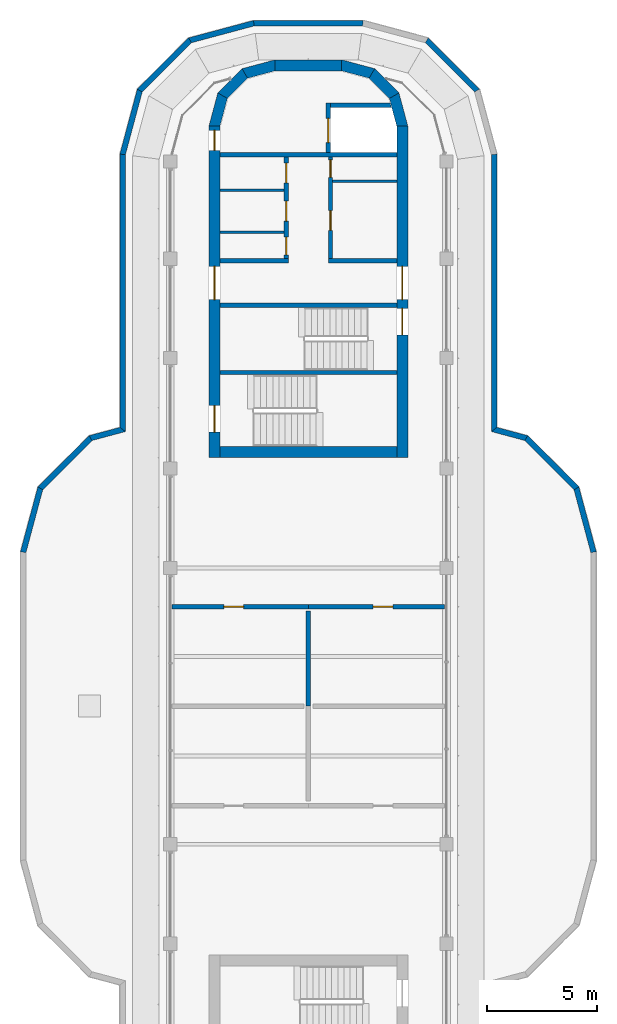
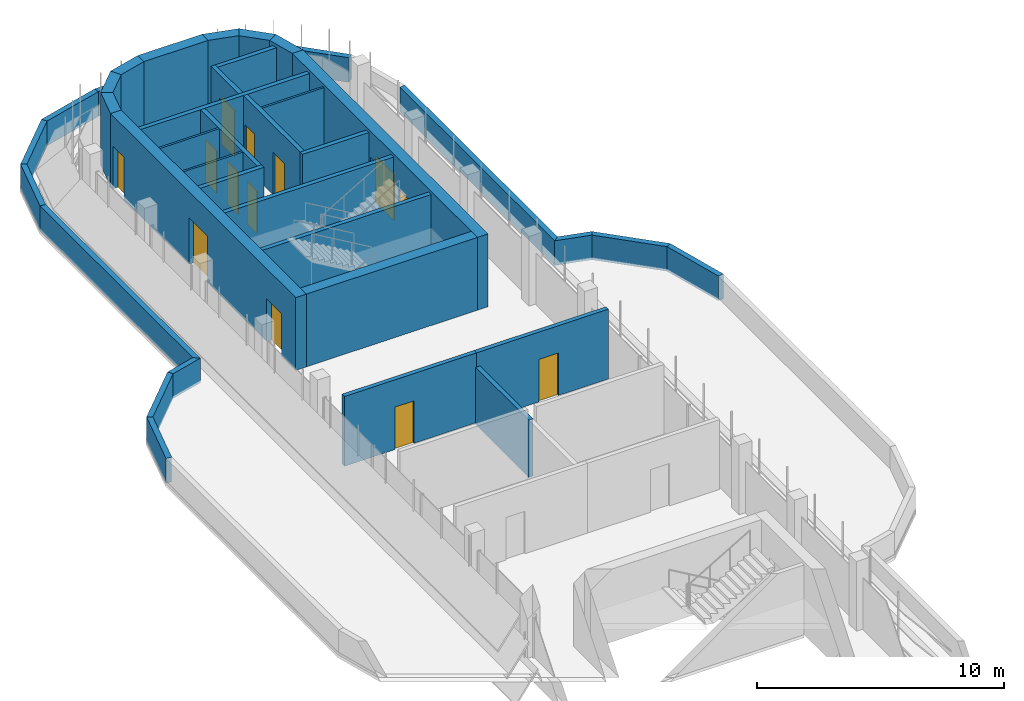
# One storey, part 9 of 12: 38 walls, 13 doors, 13 openings.
"""IFC4 building model written with IfcOpenShell, lengths in metres."""

from ifc_helpers import new_model, si_unit, direction, frame, frame_2d, origin, place, context, subcontext, project, spatial, polyline, rectangle, outline, extrude, material, layer, layer_set, type_object, element, fill, save


model = new_model("IFC4")

# Units and contexts
model_context = context("Model", 3, precision=1e-05, world=origin(), true_north=direction((0.0, 1.0)))
body_context = subcontext(model_context, "Body", "Model", "MODEL_VIEW")
ifc_project = project(units=[si_unit("LENGTHUNIT", "METRE"), si_unit("AREAUNIT", "SQUARE_METRE"), si_unit("VOLUMEUNIT", "CUBIC_METRE"), si_unit("PLANEANGLEUNIT", "RADIAN"), si_unit("MASSUNIT", "GRAM", prefix="KILO")], contexts=[model_context])

# Site, building, storey
site_placement = place(None, origin())
site = spatial("IfcSite", under=ifc_project, at=site_placement, CompositionType="ELEMENT")
building_placement = place(site_placement, origin())
building = spatial("IfcBuilding", under=site, at=building_placement, Name="Zarbagh Exchange Tower", CompositionType="ELEMENT")
storey_placement = place(building_placement, frame((0.0, 0.0, 306.0)))
storey = spatial("IfcBuildingStorey", under=building, at=storey_placement, Name="L75", CompositionType="ELEMENT", Elevation=306.0)

# Walls
ifc_material_1 = material(Name="Dense blockwork", Category="masonry")
ifc_layer_1 = layer(ifc_material_1, 0.10009765625)
ifc_layer_set_1 = layer_set([ifc_layer_1], Name="Core partition 100 mm blockwork")
wall_type_1 = type_object("IfcWallType", Name="Core partition 100 mm blockwork", PredefinedType="PARTITIONING", material=ifc_layer_set_1)
for number, where, z_axis, x_axis, name in (
    (1, (-4.0, 23.35009765625, 0.0), (0.0, 0.0, 1.0), (1.0, 0.0, 0.0), "North core partition wall CUT-W-500"),
    (2, (-4.0, 21.449951171875, 0.0), (0.0, 0.0, 1.0), (1.0, 0.0, 0.0), "North core partition wall CUT-W-690"),
    (3, (1.10009765625, 23.75, 0.0), (0.0, 0.0, 1.0), (1.0, 0.0, 0.0), "North core partition wall CUT-E-460"),
):
    element("IfcWall", number, at=place(storey_placement, frame(where, z_axis=z_axis, x_axis=x_axis)), inside=storey, type_object=wall_type_1, Name=name, PredefinedType="PARTITIONING", context=body_context, shape_type="SweptSolid", body=[
        extrude(rectangle(XDim=2.89990234375, YDim=0.10009765625, at=frame_2d((1.449951171875, 0.0))), origin(), (0.0, 0.0, 1.0), 3.449951171875),
    ])

# Wall, opening, door
ifc_material_2 = material(Name="Concrete block partition", Category="concrete")
ifc_layer_2 = layer(ifc_material_2, 0.199951171875)
ifc_layer_set_2 = layer_set([ifc_layer_2], Name="Fire-rated block partition 200 EI 60")
wall_type_2 = type_object("IfcWallType", Name="Fire-rated block partition 200 EI 60", PredefinedType="PARTITIONING", material=ifc_layer_set_2)
wall_1_placement = place(storey_placement, frame((0.0, 4.5, 0.0), z_axis=(0.0, 0.0, 1.0), x_axis=(-1.0, 0.0, 0.0)))
wall_1 = element("IfcWall", 4, at=wall_1_placement, inside=storey, type_object=wall_type_2, Name="WL-L75-W001", PredefinedType="PARTITIONING", context=body_context, shape_type="SweptSolid", body=[
    extrude(rectangle(XDim=6.169921875, YDim=0.199951171875, at=frame_2d((3.0849609375, 0.0))), origin(), (0.0, 0.0, 1.0), 3.449951171875),
])
opening_1_placement = place(wall_1_placement, frame((2.925048828125, 0.0, 0.0)))
opening_1 = element("IfcOpeningElement", 5, at=opening_1_placement, cuts=wall_1, Name="Opening D01", PredefinedType="OPENING", context=body_context, shape_type="SweptSolid", body=[
    extrude(rectangle(XDim=0.89990234375, YDim=2.10009765625, at=frame_2d((0.449951171875, 1.050048828125))), frame((0.0, 0.10986328125, 0.0), z_axis=(0.0, -1.0, 0.0), x_axis=(1.0, 0.0, 0.0)), (0.0, 0.0, 1.0), 0.219970703125),
])
ifc_material_3 = material(Name="Steel door set", Category="steel")
door_type_1 = type_object("IfcDoorType", Name="Door single 900x2100 EI 60", OperationType="SINGLE_SWING_LEFT", PredefinedType="DOOR", material=ifc_material_3)
door_1_placement = place(opening_1_placement, origin())
door_1 = element("IfcDoor", 6, at=door_1_placement, inside=storey, type_object=door_type_1, Name="D01", OperationType="SINGLE_SWING_LEFT", OverallHeight=2.10009765625, OverallWidth=0.89990234375, PredefinedType="DOOR", context=body_context, shape_type="SweptSolid", body=[
    extrude(rectangle(XDim=0.89990234375, YDim=2.10009765625, at=frame_2d((0.449951171875, 1.050048828125))), frame((0.0, 0.02490234375, 0.0), z_axis=(0.0, -1.0, 0.0), x_axis=(1.0, 0.0, 0.0)), (0.0, 0.0, 1.0), 0.050048828125),
])
fill(opening_1, door_1)

wall_2_placement = place(storey_placement, frame((6.169921875, 4.5, 0.0), z_axis=(0.0, 0.0, 1.0), x_axis=(-1.0, 0.0, 0.0)))
wall_2 = element("IfcWall", 7, at=wall_2_placement, inside=storey, type_object=wall_type_2, Name="WL-L75-W002", PredefinedType="PARTITIONING", context=body_context, shape_type="SweptSolid", body=[
    extrude(rectangle(XDim=6.169921875, YDim=0.199951171875, at=frame_2d((3.0849609375, 0.0))), origin(), (0.0, 0.0, 1.0), 3.449951171875),
])
opening_2_placement = place(wall_2_placement, frame((2.344970703125, 0.0, 0.0)))
opening_2 = element("IfcOpeningElement", 8, at=opening_2_placement, cuts=wall_2, Name="Opening D02", PredefinedType="OPENING", context=body_context, shape_type="SweptSolid", body=[
    extrude(rectangle(XDim=0.89990234375, YDim=2.10009765625, at=frame_2d((0.449951171875, 1.050048828125))), frame((0.0, 0.10986328125, 0.0), z_axis=(0.0, -1.0, 0.0), x_axis=(1.0, 0.0, 0.0)), (0.0, 0.0, 1.0), 0.219970703125),
])
door_2_placement = place(opening_2_placement, origin())
door_2 = element("IfcDoor", 9, at=door_2_placement, inside=storey, type_object=door_type_1, Name="D02", OperationType="SINGLE_SWING_LEFT", OverallHeight=2.10009765625, OverallWidth=0.89990234375, PredefinedType="DOOR", context=body_context, shape_type="SweptSolid", body=[
    extrude(rectangle(XDim=0.89990234375, YDim=2.10009765625, at=frame_2d((0.449951171875, 1.050048828125))), frame((0.0, 0.02490234375, 0.0), z_axis=(0.0, -1.0, 0.0), x_axis=(1.0, 0.0, 0.0)), (0.0, 0.0, 1.0), 0.050048828125),
])
fill(opening_2, door_2)

# Walls
wall_3_placement = place(storey_placement, frame((0.0, 4.300048828125, 0.0), z_axis=(0.0, 0.0, 1.0), x_axis=(0.0, -1.0, 0.0)))
element("IfcWall", 10, at=wall_3_placement, inside=storey, type_object=wall_type_2, Name="WL-L75-W005", PredefinedType="PARTITIONING", context=body_context, shape_type="SweptSolid", body=[
    extrude(rectangle(XDim=4.300048828125, YDim=0.199951171875, at=frame_2d((2.14990234375, 0.0))), origin(), (0.0, 0.0, 1.0), 2.827880859375),
])
ifc_material_4 = material(Name="Concrete C40/50", Category="concrete")
ifc_layer_3 = layer(ifc_material_4, 0.25)
ifc_layer_set_3 = layer_set([ifc_layer_3], Name="Parapet wall, concrete C40/50")
wall_type_3 = type_object("IfcWallType", Name="Parapet wall, concrete C40/50", PredefinedType="PARAPET", material=ifc_layer_set_3)
wall_4_placement = place(storey_placement, origin())
element("IfcWall", 11, at=wall_4_placement, inside=storey, type_object=wall_type_3, Name="roof parapet", PredefinedType="PARAPET", context=body_context, shape_type="SweptSolid", body=[
    extrude(outline(polyline([(-13.030029296875, 6.984375), (-12.242919921875, 9.92138671875), (-12.018798828125, 9.7919921875), (-12.780029296875, 6.951416015625), (-13.030029296875, 6.984375)])), origin(), (0.0, 0.0, 1.0), 1.219970703125),
])
wall_5_placement = place(storey_placement, origin())
element("IfcWall", 12, at=wall_5_placement, inside=storey, type_object=wall_type_3, Name="roof parapet", PredefinedType="PARAPET", context=body_context, shape_type="SweptSolid", body=[
    extrude(outline(polyline([(-12.242919921875, 9.92138671875), (-9.92138671875, 12.242919921875), (-9.7919921875, 12.018798828125), (-12.018798828125, 9.7919921875), (-12.242919921875, 9.92138671875)])), origin(), (0.0, 0.0, 1.0), 1.219970703125),
])
wall_6_placement = place(storey_placement, origin())
element("IfcWall", 13, at=wall_6_placement, inside=storey, type_object=wall_type_3, Name="roof parapet", PredefinedType="PARAPET", context=body_context, shape_type="SweptSolid", body=[
    extrude(outline(polyline([(-9.92138671875, 12.242919921875), (-8.530029296875, 12.61572265625), (-8.280029296875, 12.424072265625), (-9.7919921875, 12.018798828125), (-9.92138671875, 12.242919921875)])), origin(), (0.0, 0.0, 1.0), 1.219970703125),
])
wall_7_placement = place(storey_placement, origin())
element("IfcWall", 14, at=wall_7_placement, inside=storey, type_object=wall_type_3, Name="roof parapet", PredefinedType="PARAPET", context=body_context, shape_type="SweptSolid", body=[
    extrude(outline(polyline([(-8.530029296875, 12.61572265625), (-8.530029296875, 24.984375), (-8.280029296875, 24.951416015625), (-8.280029296875, 12.424072265625), (-8.530029296875, 12.61572265625)])), origin(), (0.0, 0.0, 1.0), 1.219970703125),
])
wall_8_placement = place(storey_placement, origin())
element("IfcWall", 15, at=wall_8_placement, inside=storey, type_object=wall_type_3, Name="roof parapet", PredefinedType="PARAPET", context=body_context, shape_type="SweptSolid", body=[
    extrude(outline(polyline([(-8.530029296875, 24.984375), (-7.742919921875, 27.92138671875), (-7.518798828125, 27.7919921875), (-8.280029296875, 24.951416015625), (-8.530029296875, 24.984375)])), origin(), (0.0, 0.0, 1.0), 1.219970703125),
])
wall_9_placement = place(storey_placement, origin())
element("IfcWall", 16, at=wall_9_placement, inside=storey, type_object=wall_type_3, Name="roof parapet", PredefinedType="PARAPET", context=body_context, shape_type="SweptSolid", body=[
    extrude(outline(polyline([(-7.742919921875, 27.92138671875), (-5.42138671875, 30.242919921875), (-5.2919921875, 30.018798828125), (-7.518798828125, 27.7919921875), (-7.742919921875, 27.92138671875)])), origin(), (0.0, 0.0, 1.0), 1.219970703125),
])
wall_10_placement = place(storey_placement, origin())
element("IfcWall", 17, at=wall_10_placement, inside=storey, type_object=wall_type_3, Name="roof parapet", PredefinedType="PARAPET", context=body_context, shape_type="SweptSolid", body=[
    extrude(outline(polyline([(-5.42138671875, 30.242919921875), (-2.484375, 31.030029296875), (-2.451416015625, 30.780029296875), (-5.2919921875, 30.018798828125), (-5.42138671875, 30.242919921875)])), origin(), (0.0, 0.0, 1.0), 1.219970703125),
])
wall_11_placement = place(storey_placement, origin())
element("IfcWall", 18, at=wall_11_placement, inside=storey, type_object=wall_type_3, Name="roof parapet", PredefinedType="PARAPET", context=body_context, shape_type="SweptSolid", body=[
    extrude(outline(polyline([(-2.484375, 31.030029296875), (2.484375, 31.030029296875), (2.451416015625, 30.780029296875), (-2.451416015625, 30.780029296875), (-2.484375, 31.030029296875)])), origin(), (0.0, 0.0, 1.0), 1.219970703125),
])
wall_12_placement = place(storey_placement, origin())
element("IfcWall", 19, at=wall_12_placement, inside=storey, type_object=wall_type_3, Name="roof parapet", PredefinedType="PARAPET", context=body_context, shape_type="SweptSolid", body=[
    extrude(outline(polyline([(5.42138671875, 30.242919921875), (7.742919921875, 27.92138671875), (7.518798828125, 27.7919921875), (5.2919921875, 30.018798828125), (5.42138671875, 30.242919921875)])), origin(), (0.0, 0.0, 1.0), 1.219970703125),
])
wall_13_placement = place(storey_placement, origin())
element("IfcWall", 20, at=wall_13_placement, inside=storey, type_object=wall_type_3, Name="roof parapet", PredefinedType="PARAPET", context=body_context, shape_type="SweptSolid", body=[
    extrude(outline(polyline([(8.530029296875, 24.984375), (8.530029296875, 12.61572265625), (8.280029296875, 12.424072265625), (8.280029296875, 24.951416015625), (8.530029296875, 24.984375)])), origin(), (0.0, 0.0, 1.0), 1.219970703125),
])
wall_14_placement = place(storey_placement, origin())
element("IfcWall", 21, at=wall_14_placement, inside=storey, type_object=wall_type_3, Name="roof parapet", PredefinedType="PARAPET", context=body_context, shape_type="SweptSolid", body=[
    extrude(outline(polyline([(8.530029296875, 12.61572265625), (9.92138671875, 12.242919921875), (9.7919921875, 12.018798828125), (8.280029296875, 12.424072265625), (8.530029296875, 12.61572265625)])), origin(), (0.0, 0.0, 1.0), 1.219970703125),
])
wall_15_placement = place(storey_placement, origin())
element("IfcWall", 22, at=wall_15_placement, inside=storey, type_object=wall_type_3, Name="roof parapet", PredefinedType="PARAPET", context=body_context, shape_type="SweptSolid", body=[
    extrude(outline(polyline([(9.92138671875, 12.242919921875), (12.242919921875, 9.92138671875), (12.018798828125, 9.7919921875), (9.7919921875, 12.018798828125), (9.92138671875, 12.242919921875)])), origin(), (0.0, 0.0, 1.0), 1.219970703125),
])
wall_16_placement = place(storey_placement, origin())
element("IfcWall", 23, at=wall_16_placement, inside=storey, type_object=wall_type_3, Name="roof parapet", PredefinedType="PARAPET", context=body_context, shape_type="SweptSolid", body=[
    extrude(outline(polyline([(12.242919921875, 9.92138671875), (13.030029296875, 6.984375), (12.780029296875, 6.951416015625), (12.018798828125, 9.7919921875), (12.242919921875, 9.92138671875)])), origin(), (0.0, 0.0, 1.0), 1.219970703125),
])
ifc_layer_4 = layer(ifc_material_4, 0.5)
ifc_layer_set_4 = layer_set([ifc_layer_4], Name="RC core corner wall 500 C40/50")
wall_type_4 = type_object("IfcWallType", Name="RC core corner wall 500 C40/50", PredefinedType="SHEAR", material=ifc_layer_set_4)
wall_17_placement = place(storey_placement, origin())
element("IfcWall", 24, at=wall_17_placement, inside=storey, type_object=wall_type_4, Name="CW10 core N corner W", PredefinedType="SHEAR", context=body_context, shape_type="SweptSolid", body=[
    extrude(outline(polyline([(-4.5, 26.25), (-4.09814453125, 27.75), (-3.6650390625, 27.5), (-4.0, 26.25), (-4.5, 26.25)])), origin(), (0.0, 0.0, 1.0), 3.60009765625),
])
wall_18_placement = place(storey_placement, origin())
element("IfcWall", 25, at=wall_18_placement, inside=storey, type_object=wall_type_4, Name="CW10 core N corner W", PredefinedType="SHEAR", context=body_context, shape_type="SweptSolid", body=[
    extrude(outline(polyline([(-4.09814453125, 27.75), (-3.0, 28.84814453125), (-2.75, 28.4150390625), (-3.6650390625, 27.5), (-4.09814453125, 27.75)])), origin(), (0.0, 0.0, 1.0), 3.60009765625),
])
wall_19_placement = place(storey_placement, origin())
element("IfcWall", 26, at=wall_19_placement, inside=storey, type_object=wall_type_4, Name="CW10 core N corner W", PredefinedType="SHEAR", context=body_context, shape_type="SweptSolid", body=[
    extrude(outline(polyline([(-3.0, 28.84814453125), (-1.5, 29.25), (-1.5, 28.75), (-2.75, 28.4150390625), (-3.0, 28.84814453125)])), origin(), (0.0, 0.0, 1.0), 3.60009765625),
])
wall_20_placement = place(storey_placement, origin())
element("IfcWall", 27, at=wall_20_placement, inside=storey, type_object=wall_type_4, Name="CW10 core N corner E", PredefinedType="SHEAR", context=body_context, shape_type="SweptSolid", body=[
    extrude(outline(polyline([(4.5, 26.25), (4.09814453125, 27.75), (3.6650390625, 27.5), (4.0, 26.25), (4.5, 26.25)])), origin(), (0.0, 0.0, 1.0), 3.60009765625),
])
wall_21_placement = place(storey_placement, origin())
element("IfcWall", 28, at=wall_21_placement, inside=storey, type_object=wall_type_4, Name="CW10 core N corner E", PredefinedType="SHEAR", context=body_context, shape_type="SweptSolid", body=[
    extrude(outline(polyline([(4.09814453125, 27.75), (3.0, 28.84814453125), (2.75, 28.4150390625), (3.6650390625, 27.5), (4.09814453125, 27.75)])), origin(), (0.0, 0.0, 1.0), 3.60009765625),
])
wall_22_placement = place(storey_placement, origin())
element("IfcWall", 29, at=wall_22_placement, inside=storey, type_object=wall_type_4, Name="CW10 core N corner E", PredefinedType="SHEAR", context=body_context, shape_type="SweptSolid", body=[
    extrude(outline(polyline([(3.0, 28.84814453125), (1.5, 29.25), (1.5, 28.75), (2.75, 28.4150390625), (3.0, 28.84814453125)])), origin(), (0.0, 0.0, 1.0), 3.60009765625),
])

# Wall, openings, doors
ifc_layer_5 = layer(ifc_material_4, 0.5)
ifc_layer_set_5 = layer_set([ifc_layer_5], Name="RC core wall 500 C40/50")
wall_type_5 = type_object("IfcWallType", Name="RC core wall 500 C40/50", PredefinedType="SHEAR", material=ifc_layer_set_5)
wall_23_placement = place(storey_placement, frame((-4.25, 11.25, 0.0), z_axis=(0.0, 0.0, 1.0), x_axis=(0.0, 1.0, 0.0)))
wall_23 = element("IfcWall", 30, at=wall_23_placement, inside=storey, type_object=wall_type_5, Name="CW9 core N W", PredefinedType="SHEAR", context=body_context, shape_type="SweptSolid", body=[
    extrude(rectangle(XDim=15.0, YDim=0.5, at=frame_2d((7.5, 0.0))), origin(), (0.0, 0.0, 1.0), 3.60009765625),
])
opening_3_placement = place(wall_23_placement, frame((7.14990234375, 0.0, 0.0)))
opening_3 = element("IfcOpeningElement", 31, at=opening_3_placement, cuts=wall_23, Name="Opening CD1-1500", PredefinedType="OPENING", context=body_context, shape_type="SweptSolid", body=[
    extrude(rectangle(XDim=1.5, YDim=2.300048828125, at=frame_2d((0.75, 1.14990234375))), frame((0.0, 0.260009765625, 0.0), z_axis=(0.0, -1.0, 0.0), x_axis=(1.0, 0.0, 0.0)), (0.0, 0.0, 1.0), 0.52001953125),
])
opening_4_placement = place(wall_23_placement, frame((13.89990234375, 0.0, 0.0)))
opening_4 = element("IfcOpeningElement", 32, at=opening_4_placement, cuts=wall_23, Name="Opening CD2-900", PredefinedType="OPENING", context=body_context, shape_type="SweptSolid", body=[
    extrude(rectangle(XDim=0.89990234375, YDim=2.10009765625, at=frame_2d((0.449951171875, 1.050048828125))), frame((0.0, 0.260009765625, 0.0), z_axis=(0.0, -1.0, 0.0), x_axis=(1.0, 0.0, 0.0)), (0.0, 0.0, 1.0), 0.52001953125),
])
opening_5_placement = place(wall_23_placement, frame((1.14990234375, 0.0, 0.0)))
opening_5 = element("IfcOpeningElement", 33, at=opening_5_placement, cuts=wall_23, Name="Opening SD1-1200", PredefinedType="OPENING", context=body_context, shape_type="SweptSolid", body=[
    extrude(rectangle(XDim=1.199951171875, YDim=2.10009765625, at=frame_2d((0.60009765625, 1.050048828125))), frame((0.0, 0.260009765625, 0.0), z_axis=(0.0, -1.0, 0.0), x_axis=(1.0, 0.0, 0.0)), (0.0, 0.0, 1.0), 0.52001953125),
])
ifc_material_5 = material(Name="Steel", Category="steel")
door_type_2 = type_object("IfcDoorType", Name="Exit stair door 1200 x 2100", OperationType="NOTDEFINED", PredefinedType="DOOR", material=ifc_material_5)
door_3_placement = place(opening_5_placement, origin())
door_3 = element("IfcDoor", 34, at=door_3_placement, inside=storey, type_object=door_type_2, Name="North core stair door ST2", OperationType="SINGLE_SWING_LEFT", OverallHeight=2.10009765625, OverallWidth=1.199951171875, PredefinedType="DOOR", context=body_context, shape_type="SweptSolid", body=[
    extrude(rectangle(XDim=1.199951171875, YDim=2.10009765625, at=frame_2d((0.60009765625, 1.050048828125))), frame((0.0, 0.02490234375, 0.0), z_axis=(0.0, -1.0, 0.0), x_axis=(1.0, 0.0, 0.0)), (0.0, 0.0, 1.0), 0.050048828125),
])
fill(opening_5, door_3)
door_type_3 = type_object("IfcDoorType", Name="Firefighting lobby door 900 x 2100", OperationType="NOTDEFINED", PredefinedType="DOOR", material=ifc_material_5)
door_4_placement = place(opening_4_placement, origin())
door_4 = element("IfcDoor", 35, at=door_4_placement, inside=storey, type_object=door_type_3, Name="North core firefighting lobby door FF-W", OperationType="SINGLE_SWING_LEFT", OverallHeight=2.10009765625, OverallWidth=0.89990234375, PredefinedType="DOOR", context=body_context, shape_type="SweptSolid", body=[
    extrude(rectangle(XDim=0.89990234375, YDim=2.10009765625, at=frame_2d((0.449951171875, 1.050048828125))), frame((0.0, 0.02490234375, 0.0), z_axis=(0.0, -1.0, 0.0), x_axis=(1.0, 0.0, 0.0)), (0.0, 0.0, 1.0), 0.050048828125),
])
fill(opening_4, door_4)
door_type_4 = type_object("IfcDoorType", Name="Lift lobby double door 1500 x 2300", OperationType="NOTDEFINED", PredefinedType="DOOR", material=ifc_material_5)
door_5_placement = place(opening_3_placement, origin())
door_5 = element("IfcDoor", 36, at=door_5_placement, inside=storey, type_object=door_type_4, Name="North core lift lobby door LOBBY-W", OperationType="DOUBLE_DOOR_SINGLE_SWING", OverallHeight=2.300048828125, OverallWidth=1.5, PredefinedType="DOOR", context=body_context, shape_type="SweptSolid", body=[
    extrude(rectangle(XDim=1.5, YDim=2.300048828125, at=frame_2d((0.75, 1.14990234375))), frame((0.0, 0.02490234375, 0.0), z_axis=(0.0, -1.0, 0.0), x_axis=(1.0, 0.0, 0.0)), (0.0, 0.0, 1.0), 0.050048828125),
])
fill(opening_3, door_5)

wall_24_placement = place(storey_placement, frame((4.25, 11.25, 0.0), z_axis=(0.0, 0.0, 1.0), x_axis=(0.0, 1.0, 0.0)))
wall_24 = element("IfcWall", 37, at=wall_24_placement, inside=storey, type_object=wall_type_5, Name="CW9 core N E", PredefinedType="SHEAR", context=body_context, shape_type="SweptSolid", body=[
    extrude(rectangle(XDim=15.0, YDim=0.5, at=frame_2d((7.5, 0.0))), origin(), (0.0, 0.0, 1.0), 3.60009765625),
])
opening_6_placement = place(wall_24_placement, frame((7.14990234375, 0.0, 0.0)))
opening_6 = element("IfcOpeningElement", 38, at=opening_6_placement, cuts=wall_24, Name="Opening CD1-1500", PredefinedType="OPENING", context=body_context, shape_type="SweptSolid", body=[
    extrude(rectangle(XDim=1.5, YDim=2.300048828125, at=frame_2d((0.75, 1.14990234375))), frame((0.0, 0.260009765625, 0.0), z_axis=(0.0, -1.0, 0.0), x_axis=(1.0, 0.0, 0.0)), (0.0, 0.0, 1.0), 0.52001953125),
])
opening_7_placement = place(wall_24_placement, frame((5.550048828125, 0.0, 0.0)))
opening_7 = element("IfcOpeningElement", 39, at=opening_7_placement, cuts=wall_24, Name="Opening SD1-1200", PredefinedType="OPENING", context=body_context, shape_type="SweptSolid", body=[
    extrude(rectangle(XDim=1.199951171875, YDim=2.10009765625, at=frame_2d((0.60009765625, 1.050048828125))), frame((0.0, 0.260009765625, 0.0), z_axis=(0.0, -1.0, 0.0), x_axis=(1.0, 0.0, 0.0)), (0.0, 0.0, 1.0), 0.52001953125),
])
door_6_placement = place(opening_7_placement, origin())
door_6 = element("IfcDoor", 40, at=door_6_placement, inside=storey, type_object=door_type_2, Name="North core stair door ST1", OperationType="SINGLE_SWING_RIGHT", OverallHeight=2.10009765625, OverallWidth=1.199951171875, PredefinedType="DOOR", context=body_context, shape_type="SweptSolid", body=[
    extrude(rectangle(XDim=1.199951171875, YDim=2.10009765625, at=frame_2d((0.60009765625, 1.050048828125))), frame((0.0, 0.02490234375, 0.0), z_axis=(0.0, -1.0, 0.0), x_axis=(1.0, 0.0, 0.0)), (0.0, 0.0, 1.0), 0.050048828125),
])
fill(opening_7, door_6)
door_7_placement = place(opening_6_placement, origin())
door_7 = element("IfcDoor", 41, at=door_7_placement, inside=storey, type_object=door_type_4, Name="North core lift lobby door LOBBY-E", OperationType="DOUBLE_DOOR_SINGLE_SWING", OverallHeight=2.300048828125, OverallWidth=1.5, PredefinedType="DOOR", context=body_context, shape_type="SweptSolid", body=[
    extrude(rectangle(XDim=1.5, YDim=2.300048828125, at=frame_2d((0.75, 1.14990234375))), frame((0.0, 0.02490234375, 0.0), z_axis=(0.0, -1.0, 0.0), x_axis=(1.0, 0.0, 0.0)), (0.0, 0.0, 1.0), 0.050048828125),
])
fill(opening_6, door_7)

# Walls
wall_25_placement = place(storey_placement, frame((-4.0, 11.5, 0.0), z_axis=(0.0, 0.0, 1.0), x_axis=(1.0, 0.0, 0.0)))
element("IfcWall", 42, at=wall_25_placement, inside=storey, type_object=wall_type_5, Name="CW9 core N inner end", PredefinedType="SHEAR", context=body_context, shape_type="SweptSolid", body=[
    extrude(rectangle(XDim=8.0, YDim=0.5, at=frame_2d((4.0, 0.0))), origin(), (0.0, 0.0, 1.0), 3.60009765625),
])
wall_26_placement = place(storey_placement, frame((-1.5, 29.0, 0.0), z_axis=(0.0, 0.0, 1.0), x_axis=(1.0, 0.0, 0.0)))
element("IfcWall", 43, at=wall_26_placement, inside=storey, type_object=wall_type_5, Name="CW9 core N outer end", PredefinedType="SHEAR", context=body_context, shape_type="SweptSolid", body=[
    extrude(rectangle(XDim=3.0, YDim=0.5, at=frame_2d((1.5, 0.0))), origin(), (0.0, 0.0, 1.0), 3.60009765625),
])
ifc_layer_6 = layer(ifc_material_1, 0.199951171875)
ifc_layer_set_6 = layer_set([ifc_layer_6], Name="Shaft wall 200 mm blockwork")
wall_type_6 = type_object("IfcWallType", Name="Shaft wall 200 mm blockwork", PredefinedType="PARTITIONING", material=ifc_layer_set_6)
wall_27_placement = place(storey_placement, frame((-4.0, 20.14990234375, 0.0), z_axis=(0.0, 0.0, 1.0), x_axis=(1.0, 0.0, 0.0)))
element("IfcWall", 44, at=wall_27_placement, inside=storey, type_object=wall_type_6, Name="North core shaft wall AB-W", PredefinedType="PARTITIONING", context=body_context, shape_type="SweptSolid", body=[
    extrude(rectangle(XDim=3.10009765625, YDim=0.199951171875, at=frame_2d((1.550048828125, 0.0))), origin(), (0.0, 0.0, 1.0), 3.449951171875),
])

# Wall, openings, doors
wall_28_placement = place(storey_placement, frame((-1.0, 24.85009765625, 0.0), z_axis=(0.0, 0.0, 1.0), x_axis=(0.0, -1.0, 0.0)))
wall_28 = element("IfcWall", 45, at=wall_28_placement, inside=storey, type_object=wall_type_6, Name="North core shaft wall LW-W", PredefinedType="PARTITIONING", context=body_context, shape_type="SweptSolid", body=[
    extrude(rectangle(XDim=4.60009765625, YDim=0.199951171875, at=frame_2d((2.300048828125, 0.0))), origin(), (0.0, 0.0, 1.0), 3.449951171875),
])
opening_8_placement = place(wall_28_placement, frame((0.27490234375, 0.0, 0.0)))
opening_8 = element("IfcOpeningElement", 46, at=opening_8_placement, cuts=wall_28, Name="Opening CD3-900", PredefinedType="OPENING", context=body_context, shape_type="SweptSolid", body=[
    extrude(rectangle(XDim=0.89990234375, YDim=2.10009765625, at=frame_2d((0.449951171875, 1.050048828125))), frame((0.0, 0.10986328125, 0.0), z_axis=(0.0, -1.0, 0.0), x_axis=(1.0, 0.0, 0.0)), (0.0, 0.0, 1.0), 0.219970703125),
])
opening_9_placement = place(wall_28_placement, frame((2.0, 0.0, 0.0)))
opening_9 = element("IfcOpeningElement", 47, at=opening_9_placement, cuts=wall_28, Name="Opening CD3-900", PredefinedType="OPENING", context=body_context, shape_type="SweptSolid", body=[
    extrude(rectangle(XDim=0.89990234375, YDim=2.10009765625, at=frame_2d((0.449951171875, 1.050048828125))), frame((0.0, 0.10986328125, 0.0), z_axis=(0.0, -1.0, 0.0), x_axis=(1.0, 0.0, 0.0)), (0.0, 0.0, 1.0), 0.219970703125),
])
opening_10_placement = place(wall_28_placement, frame((3.625, 0.0, 0.0)))
opening_10 = element("IfcOpeningElement", 48, at=opening_10_placement, cuts=wall_28, Name="Opening CD3-800", PredefinedType="OPENING", context=body_context, shape_type="SweptSolid", body=[
    extrude(rectangle(XDim=0.800048828125, YDim=2.10009765625, at=frame_2d((0.39990234375, 1.050048828125))), frame((0.0, 0.10986328125, 0.0), z_axis=(0.0, -1.0, 0.0), x_axis=(1.0, 0.0, 0.0)), (0.0, 0.0, 1.0), 0.219970703125),
])
door_type_5 = type_object("IfcDoorType", Name="Core room door 800 x 2100", OperationType="NOTDEFINED", PredefinedType="DOOR", material=ifc_material_5)
door_8_placement = place(opening_10_placement, origin())
door_8 = element("IfcDoor", 49, at=door_8_placement, inside=storey, type_object=door_type_5, Name="North core Control room door RD-W-2", OperationType="SINGLE_SWING_LEFT", OverallHeight=2.10009765625, OverallWidth=0.800048828125, PredefinedType="DOOR", context=body_context, shape_type="SweptSolid", body=[
    extrude(rectangle(XDim=0.800048828125, YDim=2.10009765625, at=frame_2d((0.39990234375, 1.050048828125))), frame((0.0, 0.02490234375, 0.0), z_axis=(0.0, -1.0, 0.0), x_axis=(1.0, 0.0, 0.0)), (0.0, 0.0, 1.0), 0.050048828125),
])
fill(opening_10, door_8)
door_type_6 = type_object("IfcDoorType", Name="Core room door 900 x 2100", OperationType="NOTDEFINED", PredefinedType="DOOR", material=ifc_material_5)
door_9_placement = place(opening_8_placement, origin())
door_9 = element("IfcDoor", 50, at=door_9_placement, inside=storey, type_object=door_type_6, Name="North core Mechanical store door RD-W-0", OperationType="SINGLE_SWING_RIGHT", OverallHeight=2.10009765625, OverallWidth=0.89990234375, PredefinedType="DOOR", context=body_context, shape_type="SweptSolid", body=[
    extrude(rectangle(XDim=0.89990234375, YDim=2.10009765625, at=frame_2d((0.449951171875, 1.050048828125))), frame((0.0, 0.02490234375, 0.0), z_axis=(0.0, -1.0, 0.0), x_axis=(1.0, 0.0, 0.0)), (0.0, 0.0, 1.0), 0.050048828125),
])
fill(opening_8, door_9)
door_10_placement = place(opening_9_placement, origin())
door_10 = element("IfcDoor", 51, at=door_10_placement, inside=storey, type_object=door_type_6, Name="North core Plant room door RD-W-1", OperationType="SINGLE_SWING_RIGHT", OverallHeight=2.10009765625, OverallWidth=0.89990234375, PredefinedType="DOOR", context=body_context, shape_type="SweptSolid", body=[
    extrude(rectangle(XDim=0.89990234375, YDim=2.10009765625, at=frame_2d((0.449951171875, 1.050048828125))), frame((0.0, 0.02490234375, 0.0), z_axis=(0.0, -1.0, 0.0), x_axis=(1.0, 0.0, 0.0)), (0.0, 0.0, 1.0), 0.050048828125),
])
fill(opening_9, door_10)

# Wall
wall_29_placement = place(storey_placement, frame((0.89990234375, 20.14990234375, 0.0), z_axis=(0.0, 0.0, 1.0), x_axis=(1.0, 0.0, 0.0)))
element("IfcWall", 52, at=wall_29_placement, inside=storey, type_object=wall_type_6, Name="North core shaft wall AB-E", PredefinedType="PARTITIONING", context=body_context, shape_type="SweptSolid", body=[
    extrude(rectangle(XDim=3.10009765625, YDim=0.199951171875, at=frame_2d((1.550048828125, 0.0))), origin(), (0.0, 0.0, 1.0), 3.449951171875),
])

# Wall, openings, doors
wall_30_placement = place(storey_placement, frame((1.0, 24.85009765625, 0.0), z_axis=(0.0, 0.0, 1.0), x_axis=(0.0, -1.0, 0.0)))
wall_30 = element("IfcWall", 53, at=wall_30_placement, inside=storey, type_object=wall_type_6, Name="North core shaft wall LW-E", PredefinedType="PARTITIONING", context=body_context, shape_type="SweptSolid", body=[
    extrude(rectangle(XDim=4.60009765625, YDim=0.199951171875, at=frame_2d((2.300048828125, 0.0))), origin(), (0.0, 0.0, 1.0), 3.449951171875),
])
opening_11_placement = place(wall_30_placement, frame((0.125, 0.0, 0.0)))
opening_11 = element("IfcOpeningElement", 54, at=opening_11_placement, cuts=wall_30, Name="Opening CD3-800", PredefinedType="OPENING", context=body_context, shape_type="SweptSolid", body=[
    extrude(rectangle(XDim=0.800048828125, YDim=2.10009765625, at=frame_2d((0.39990234375, 1.050048828125))), frame((0.0, 0.10986328125, 0.0), z_axis=(0.0, -1.0, 0.0), x_axis=(1.0, 0.0, 0.0)), (0.0, 0.0, 1.0), 0.219970703125),
])
opening_12_placement = place(wall_30_placement, frame((2.425048828125, 0.0, 0.0)))
opening_12 = element("IfcOpeningElement", 55, at=opening_12_placement, cuts=wall_30, Name="Opening CD3-900", PredefinedType="OPENING", context=body_context, shape_type="SweptSolid", body=[
    extrude(rectangle(XDim=0.89990234375, YDim=2.10009765625, at=frame_2d((0.449951171875, 1.050048828125))), frame((0.0, 0.10986328125, 0.0), z_axis=(0.0, -1.0, 0.0), x_axis=(1.0, 0.0, 0.0)), (0.0, 0.0, 1.0), 0.219970703125),
])
door_11_placement = place(opening_11_placement, origin())
door_11 = element("IfcDoor", 56, at=door_11_placement, inside=storey, type_object=door_type_5, Name="North core Plant room door RD-E-0", OperationType="SINGLE_SWING_LEFT", OverallHeight=2.10009765625, OverallWidth=0.800048828125, PredefinedType="DOOR", context=body_context, shape_type="SweptSolid", body=[
    extrude(rectangle(XDim=0.800048828125, YDim=2.10009765625, at=frame_2d((0.39990234375, 1.050048828125))), frame((0.0, 0.02490234375, 0.0), z_axis=(0.0, -1.0, 0.0), x_axis=(1.0, 0.0, 0.0)), (0.0, 0.0, 1.0), 0.050048828125),
])
fill(opening_11, door_11)
door_12_placement = place(opening_12_placement, origin())
door_12 = element("IfcDoor", 57, at=door_12_placement, inside=storey, type_object=door_type_6, Name="North core Mechanical store door RD-E-1", OperationType="SINGLE_SWING_LEFT", OverallHeight=2.10009765625, OverallWidth=0.89990234375, PredefinedType="DOOR", context=body_context, shape_type="SweptSolid", body=[
    extrude(rectangle(XDim=0.89990234375, YDim=2.10009765625, at=frame_2d((0.449951171875, 1.050048828125))), frame((0.0, 0.02490234375, 0.0), z_axis=(0.0, -1.0, 0.0), x_axis=(1.0, 0.0, 0.0)), (0.0, 0.0, 1.0), 0.050048828125),
])
fill(opening_12, door_12)

# Wall
ifc_layer_7 = layer(ifc_material_4, 0.199951171875)
ifc_layer_set_7 = layer_set([ifc_layer_7], Name="Stair enclosure wall 200 mm RC C40/50")
wall_type_7 = type_object("IfcWallType", Name="Stair enclosure wall 200 mm RC C40/50", PredefinedType="SHEAR", material=ifc_layer_set_7)
wall_31_placement = place(storey_placement, frame((-4.0, 24.949951171875, 0.0), z_axis=(0.0, 0.0, 1.0), x_axis=(1.0, 0.0, 0.0)))
element("IfcWall", 58, at=wall_31_placement, inside=storey, type_object=wall_type_7, Name="North core lift shaft wall FFA", PredefinedType="SHEAR", context=body_context, shape_type="SweptSolid", body=[
    extrude(rectangle(XDim=8.0, YDim=0.199951171875, at=frame_2d((4.0, 0.0))), origin(), (0.0, 0.0, 1.0), 3.449951171875),
])

# Wall, opening, door
wall_32_placement = place(storey_placement, frame((0.89990234375, 27.300048828125, 0.0), z_axis=(0.0, 0.0, 1.0), x_axis=(0.0, -1.0, 0.0)))
wall_32 = element("IfcWall", 59, at=wall_32_placement, inside=storey, type_object=wall_type_7, Name="North core lift shaft wall FFL", PredefinedType="SHEAR", context=body_context, shape_type="SweptSolid", body=[
    extrude(rectangle(XDim=2.25, YDim=0.199951171875, at=frame_2d((1.125, 0.0))), origin(), (0.0, 0.0, 1.0), 3.449951171875),
])
opening_13_placement = place(wall_32_placement, frame((0.699951171875, 0.0, 0.0)))
opening_13 = element("IfcOpeningElement", 60, at=opening_13_placement, cuts=wall_32, Name="Opening LD-1100", PredefinedType="OPENING", context=body_context, shape_type="SweptSolid", body=[
    extrude(rectangle(XDim=1.10009765625, YDim=2.300048828125, at=frame_2d((0.550048828125, 1.14990234375))), frame((0.0, 0.10986328125, 0.0), z_axis=(0.0, -1.0, 0.0), x_axis=(1.0, 0.0, 0.0)), (0.0, 0.0, 1.0), 0.219970703125),
])
ifc_material_6 = material(Name="Stainless steel", Category="steel")
door_type_7 = type_object("IfcDoorType", Name="Lift landing door 1100 x 2300", OperationType="NOTDEFINED", PredefinedType="DOOR", material=ifc_material_6)
door_13_placement = place(opening_13_placement, origin())
door_13 = element("IfcDoor", 61, at=door_13_placement, inside=storey, type_object=door_type_7, Name="North core lift landing door LD-F", OperationType="DOUBLE_DOOR_SLIDING", OverallHeight=2.300048828125, OverallWidth=1.10009765625, PredefinedType="DOOR", context=body_context, shape_type="SweptSolid", body=[
    extrude(rectangle(XDim=1.10009765625, YDim=2.300048828125, at=frame_2d((0.550048828125, 1.14990234375))), frame((0.0, 0.02490234375, 0.0), z_axis=(0.0, -1.0, 0.0), x_axis=(1.0, 0.0, 0.0)), (0.0, 0.0, 1.0), 0.050048828125),
])
fill(opening_13, door_13)

# Walls
wall_33_placement = place(storey_placement, origin())
element("IfcWall", 62, at=wall_33_placement, inside=storey, type_object=wall_type_7, Name="North core lift shaft wall FFX", PredefinedType="SHEAR", context=body_context, shape_type="SweptSolid", body=[
    extrude(outline(polyline([(1.0, 27.10009765625), (3.754638671875, 27.10009765625), (3.700927734375, 27.300048828125), (1.0, 27.300048828125), (1.0, 27.10009765625)])), origin(), (0.0, 0.0, 1.0), 3.449951171875),
])
for number, where, z_axis, x_axis, name in (
    (63, (-4.0, 18.14990234375, 0.0), (0.0, 0.0, 1.0), (1.0, 0.0, 0.0), "North core stair wall BS"),
    (64, (-4.0, 15.10009765625, 0.0), (0.0, 0.0, 1.0), (1.0, 0.0, 0.0), "North core stair wall ST12"),
):
    element("IfcWall", number, at=place(storey_placement, frame(where, z_axis=z_axis, x_axis=x_axis)), inside=storey, type_object=wall_type_7, Name=name, PredefinedType="SHEAR", context=body_context, shape_type="SweptSolid", body=[
        extrude(rectangle(XDim=8.0, YDim=0.199951171875, at=frame_2d((4.0, 0.0))), origin(), (0.0, 0.0, 1.0), 3.449951171875),
    ])

save(model, "model.ifc")
